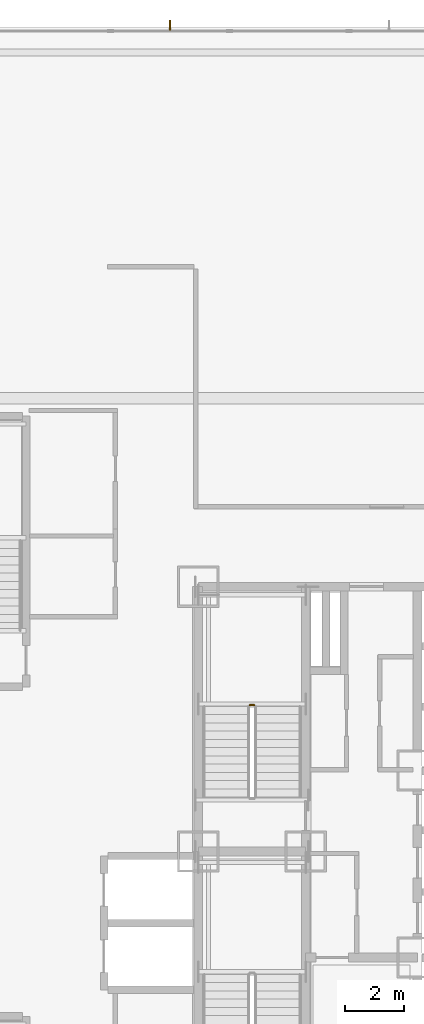
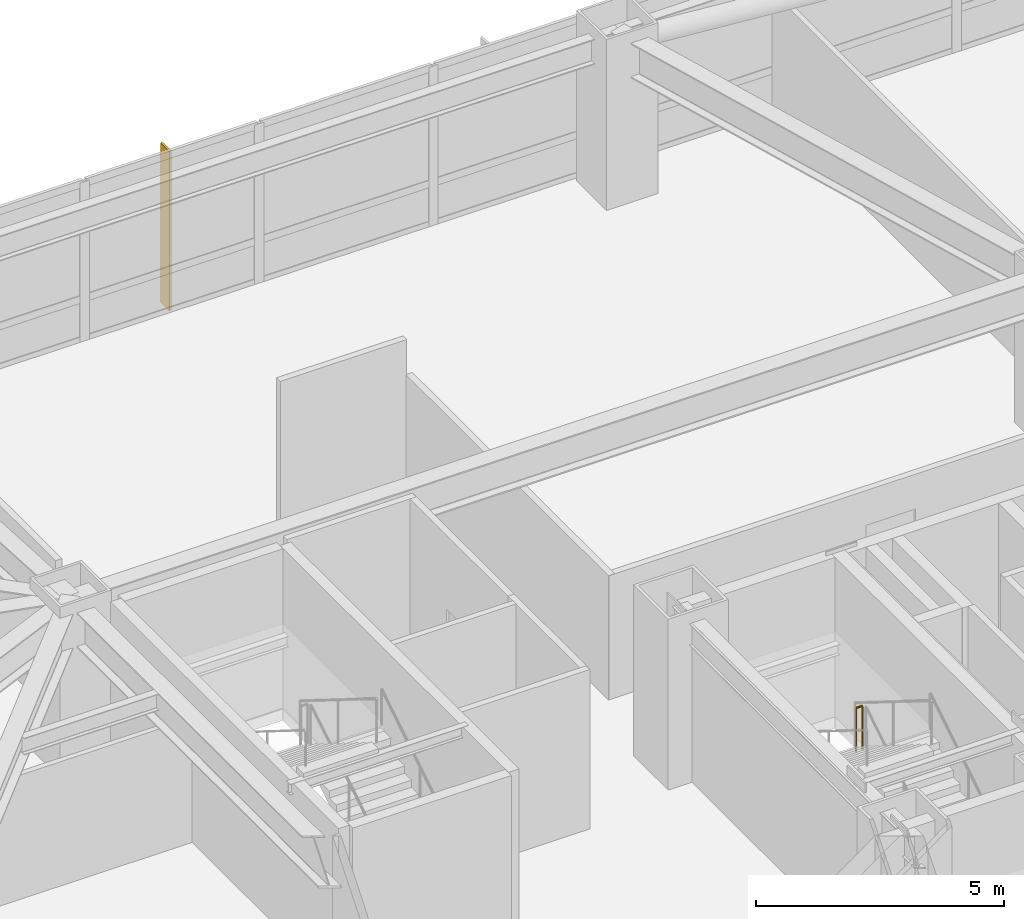
# One storey, part 24 of 25: 1 railing, 1 shading device.
"""IFC4 building model written with IfcOpenShell, lengths in metres."""

from ifc_helpers import new_model, si_unit, direction, frame, origin, origin_2d, place, context, subcontext, project, spatial, rectangle, circle, extrude, material, type_object, element, save


model = new_model("IFC4")

# Units and contexts
model_context = context("Model", 3, precision=1e-05, world=origin(), true_north=direction((0.0, 1.0)))
body_context = subcontext(model_context, "Body", "Model", "MODEL_VIEW")
ifc_project = project(units=[si_unit("LENGTHUNIT", "METRE"), si_unit("AREAUNIT", "SQUARE_METRE"), si_unit("VOLUMEUNIT", "CUBIC_METRE"), si_unit("PLANEANGLEUNIT", "RADIAN"), si_unit("MASSUNIT", "GRAM", prefix="KILO")], contexts=[model_context])

# Site, building, storey
site_placement = place(None, origin())
site = spatial("IfcSite", under=ifc_project, at=site_placement, CompositionType="ELEMENT")
building_placement = place(site_placement, origin())
building = spatial("IfcBuilding", under=site, at=building_placement, Name="Khamvora Tower", CompositionType="ELEMENT")
storey_placement = place(building_placement, frame((0.0, 0.0, 24.60009765625)))
storey = spatial("IfcBuildingStorey", under=building, at=storey_placement, Name="L05", CompositionType="ELEMENT", Elevation=24.60009765625)

# Railing
ifc_material_1 = material(Name="Stainless Steel 316", Category="steel")
railing_type = type_object("IfcRailingType", Name="RAL-STG-1100", PredefinedType="GUARDRAIL", material=ifc_material_1)
railing_placement = place(storey_placement, frame((30.89990234375, 32.97998046875, 2.099853515625)))
element("IfcRailing", 1, at=railing_placement, inside=storey, type_object=railing_type, Name="L05 ST-02 stair guard 2", PredefinedType="GUARDRAIL", context=body_context, shape_type="SweptSolid", body=[
    extrude(circle(Radius=0.02392578125, at=origin_2d()), frame((0.0, 0.0, 1.076171875), z_axis=(-1.0, 0.0, 0.0), x_axis=(0.0, -1.0, 0.0)), (0.0, 0.0, 1.0), 0.14990234375),
    extrude(circle(Radius=0.02099609375, at=origin_2d()), origin(), (0.0, 0.0, 1.0), 1.052001953125),
    extrude(circle(Radius=0.02099609375, at=origin_2d()), frame((-0.14990234375, 0.0, 0.0)), (0.0, 0.0, 1.0), 1.052001953125),
])

# Shading device
ifc_material_2 = material(Name="Anodised Bronze Aluminium 6063-T6", Category="aluminium")
shading_device_type = type_object("IfcShadingDeviceType", Name="SHD-FIN-350", PredefinedType="USERDEFINED", material=ifc_material_2)
shading_device_placement = place(storey_placement, frame((28.0390625, 56.077880859375, 0.0), z_axis=(0.0, 0.0, 1.0), x_axis=(1.0, 0.0, 0.0)))
element("IfcShadingDevice", 2, at=shading_device_placement, inside=storey, type_object=shading_device_type, Name="L05 anodised bronze solar fin 07.03", ObjectType="FIN", PredefinedType="USERDEFINED", context=body_context, shape_type="SweptSolid", body=[
    extrude(rectangle(XDim=0.054931640625, YDim=0.35009765625, at=origin_2d()), origin(), (0.0, 0.0, 1.0), 3.919921875),
])

save(model, "model.ifc")
